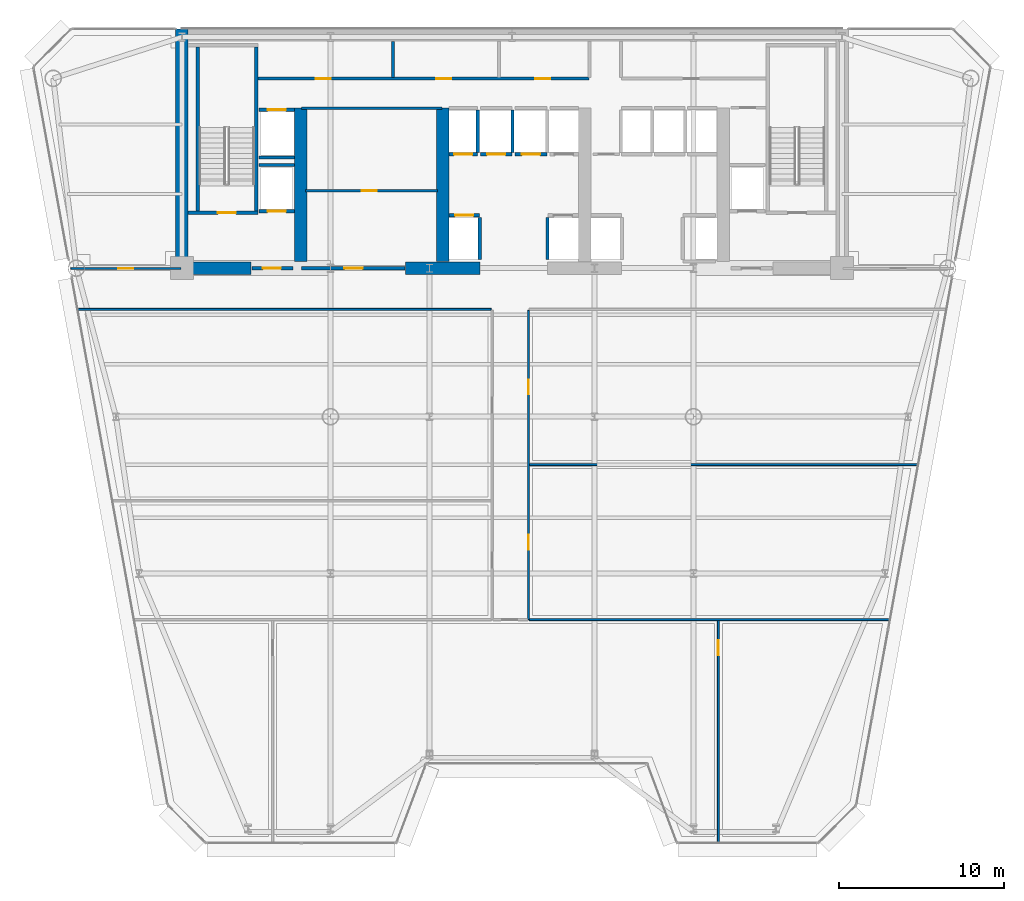
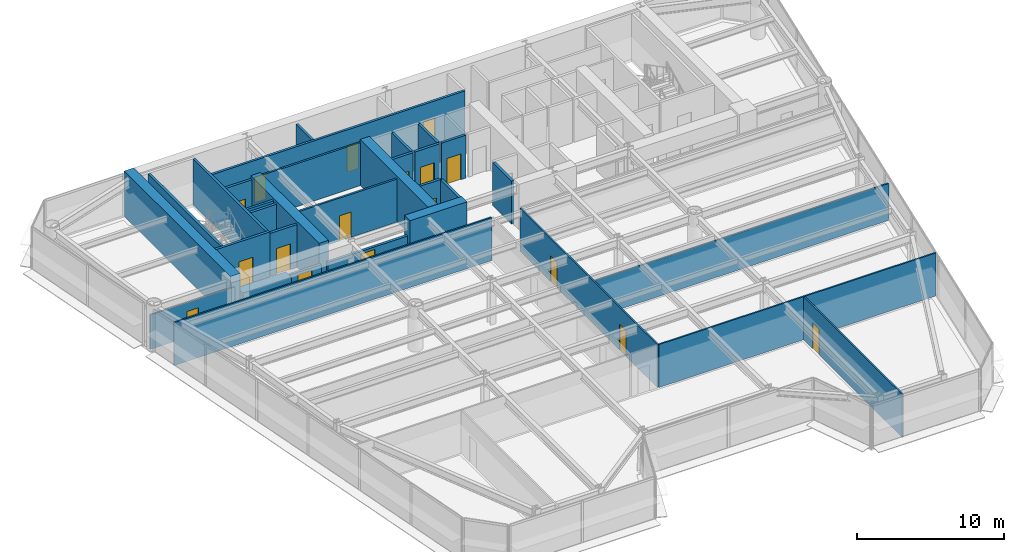
# One storey, part 8 of 14: 32 walls, 17 doors, 17 openings.
"""IFC4 building model written with IfcOpenShell, lengths in metres."""

from ifc_helpers import new_model, si_unit, direction, frame, frame_2d, origin, place, context, subcontext, project, spatial, rectangle, extrude, source, transform, mapped, material, layer, layer_set, type_object, element, fill, save


model = new_model("IFC4")

# Units and contexts
model_context = context("Model", 3, precision=1e-05, world=origin(), true_north=direction((0.0, 1.0)))
body_context = subcontext(model_context, "Body", "Model", "MODEL_VIEW")
ifc_project = project(units=[si_unit("LENGTHUNIT", "METRE"), si_unit("AREAUNIT", "SQUARE_METRE"), si_unit("VOLUMEUNIT", "CUBIC_METRE"), si_unit("PLANEANGLEUNIT", "RADIAN"), si_unit("MASSUNIT", "GRAM", prefix="KILO")], contexts=[model_context])

# Site, building, storey
site_placement = place(None, origin())
site = spatial("IfcSite", under=ifc_project, at=site_placement, CompositionType="ELEMENT")
building_placement = place(site_placement, origin())
building = spatial("IfcBuilding", under=site, at=building_placement, Name="Vaeldorn Concourse Tower", CompositionType="ELEMENT")
storey_placement = place(building_placement, frame((0.0, 0.0, 118.60009765625)))
storey = spatial("IfcBuildingStorey", under=building, at=storey_placement, Name="L30", CompositionType="ELEMENT", Elevation=118.60009765625)

# Walls
ifc_material_1 = material(Name="Concrete C60/75", Category="concrete")
ifc_layer_1 = layer(ifc_material_1, 0.75)
ifc_layer_set_1 = layer_set([ifc_layer_1], Name="Concrete C60/75")
wall_type_1 = type_object("IfcWallType", Name="WL-CORE-750", PredefinedType="SHEAR", material=ifc_layer_set_1)
wall_1_placement = place(storey_placement, frame((14.0, 36.5, 0.0), z_axis=(0.0, 0.0, 1.0), x_axis=(0.0, 1.0, 0.0)))
element("IfcWall", 1, at=wall_1_placement, inside=storey, type_object=wall_type_1, Name="Rear Core Shear Wall L30 W1", PredefinedType="SHEAR", context=body_context, shape_type="SweptSolid", body=[
    extrude(rectangle(XDim=14.5, YDim=0.75, at=frame_2d((7.25, 0.0))), origin(), (0.0, 0.0, 1.0), 3.7998046875),
])
wall_2_placement = place(storey_placement, frame((14.39501953125, 36.5, 0.0), z_axis=(0.0, 0.0, 1.0), x_axis=(1.0, 0.0, 0.0)))
element("IfcWall", 2, at=wall_2_placement, inside=storey, type_object=wall_type_1, Name="Rear Core Shear Wall L30 S1", PredefinedType="SHEAR", context=body_context, shape_type="SweptSolid", body=[
    extrude(rectangle(XDim=3.804931640625, YDim=0.75, at=frame_2d((1.90234375, 0.0))), origin(), (0.0, 0.0, 1.0), 2.3798828125),
])
wall_3_placement = place(storey_placement, frame((27.550048828125, 36.5, 0.0), z_axis=(0.0, 0.0, 1.0), x_axis=(1.0, 0.0, 0.0)))
element("IfcWall", 3, at=wall_3_placement, inside=storey, type_object=wall_type_1, Name="Rear Core Shear Wall L30 S2", PredefinedType="SHEAR", context=body_context, shape_type="SweptSolid", body=[
    extrude(rectangle(XDim=4.5, YDim=0.75, at=frame_2d((2.25, 0.0))), origin(), (0.0, 0.0, 1.0), 3.7998046875),
])
for number, where, z_axis, x_axis, name in (
    (4, (21.199951171875, 36.89501953125, 0.0), (0.0, 0.0, 1.0), (0.0, 1.0, 0.0), "Rear Core Shear Wall L30 M1"),
    (5, (29.800048828125, 36.89501953125, 0.0), (0.0, 0.0, 1.0), (0.0, 1.0, 0.0), "Rear Core Shear Wall L30 M2"),
):
    element("IfcWall", number, at=place(storey_placement, frame(where, z_axis=z_axis, x_axis=x_axis)), inside=storey, type_object=wall_type_1, Name=name, PredefinedType="SHEAR", context=body_context, shape_type="SweptSolid", body=[
        extrude(rectangle(XDim=9.304931640625, YDim=0.75, at=frame_2d((4.65234375, 0.0))), origin(), (0.0, 0.0, 1.0), 3.7998046875),
    ])
ifc_material_2 = material(Name="Gypsum Board Partition", Category="gypsum")
ifc_layer_2 = layer(ifc_material_2, 0.1201171875)
ifc_layer_set_2 = layer_set([ifc_layer_2], Name="Gypsum Board Partition")
wall_type_2 = type_object("IfcWallType", Name="WL-PART-120", PredefinedType="PARTITIONING", material=ifc_layer_set_2)
wall_4_placement = place(storey_placement, frame((7.715087890625, 34.0, 0.0), z_axis=(0.0, 0.0, 1.0), x_axis=(1.0, 0.0, 0.0)))
element("IfcWall", 6, at=wall_4_placement, inside=storey, type_object=wall_type_2, Name="Interior Wall PW-L30-C2SW", PredefinedType="PARTITIONING", context=body_context, shape_type="SweptSolid", body=[
    extrude(rectangle(XDim=25.02490234375, YDim=0.1201171875, at=frame_2d((12.512451171875, 0.0))), origin(), (0.0, 0.0, 1.0), 3.579833984375),
])

# Wall, openings, doors
wall_5_placement = place(storey_placement, frame((35.0, 15.199951171875, 0.0), z_axis=(0.0, 0.0, 1.0), x_axis=(0.0, 1.0, 0.0)))
wall_5 = element("IfcWall", 7, at=wall_5_placement, inside=storey, type_object=wall_type_2, Name="Interior Wall PW-L30-SP2E", PredefinedType="PARTITIONING", context=body_context, shape_type="SweptSolid", body=[
    extrude(rectangle(XDim=18.739990234375, YDim=0.1201171875, at=frame_2d((9.3701171875, 0.0))), origin(), (0.0, 0.0, 1.0), 3.579833984375),
])
opening_1_placement = place(wall_5_placement, frame((4.25, 0.0, 0.0)))
opening_1 = element("IfcOpeningElement", 8, at=opening_1_placement, cuts=wall_5, Name="Opening D-03", PredefinedType="OPENING", context=body_context, shape_type="SweptSolid", body=[
    extrude(rectangle(XDim=0.89990234375, YDim=2.14990234375, at=frame_2d((0.449951171875, 1.074951171875))), frame((0.0, 0.070068359375, 0.0), z_axis=(0.0, -1.0, 0.0), x_axis=(1.0, 0.0, 0.0)), (0.0, 0.0, 1.0), 0.14013671875),
])
opening_2_placement = place(wall_5_placement, frame((13.64990234375, 0.0, 0.0)))
opening_2 = element("IfcOpeningElement", 9, at=opening_2_placement, cuts=wall_5, Name="Opening D-03", PredefinedType="OPENING", context=body_context, shape_type="SweptSolid", body=[
    extrude(rectangle(XDim=0.89990234375, YDim=2.14990234375, at=frame_2d((0.449951171875, 1.074951171875))), frame((0.0, 0.070068359375, 0.0), z_axis=(0.0, -1.0, 0.0), x_axis=(1.0, 0.0, 0.0)), (0.0, 0.0, 1.0), 0.14013671875),
])
ifc_material_3 = material(Name="Acoustic Bronze-Framed Glass Door", Category="glass")
door_type_1 = type_object("IfcDoorType", Name="DR-INT-900", OperationType="NOTDEFINED", PredefinedType="DOOR", material=ifc_material_3)
shared_shape_1 = source(origin(), body_context, "Body", "SweptSolid", [
    extrude(rectangle(XDim=0.89990234375, YDim=2.14990234375, at=frame_2d((0.449951171875, 1.074951171875))), frame((0.0, 0.02490234375, 0.0), z_axis=(0.0, -1.0, 0.0), x_axis=(1.0, 0.0, 0.0)), (0.0, 0.0, 1.0), 0.050048828125),
])
door_1_placement = place(opening_1_placement, origin())
door_1 = element("IfcDoor", 10, at=door_1_placement, inside=storey, type_object=door_type_1, Name="Interior Door DR-L30-Z2E1", OperationType="SINGLE_SWING_RIGHT", OverallHeight=2.14990234375, OverallWidth=0.89990234375, PredefinedType="DOOR", context=body_context, shape_type="MappedRepresentation", body=[
    mapped(shared_shape_1, transform((0.0, 0.0, 0.0), scale=1.0)),
])
fill(opening_1, door_1)
door_2_placement = place(opening_2_placement, origin())
door_2 = element("IfcDoor", 11, at=door_2_placement, inside=storey, type_object=door_type_1, Name="Interior Door DR-L30-Z2E2", OperationType="SINGLE_SWING_LEFT", OverallHeight=2.14990234375, OverallWidth=0.89990234375, PredefinedType="DOOR", context=body_context, shape_type="MappedRepresentation", body=[
    mapped(shared_shape_1, transform((0.0, 0.0, 0.0), scale=1.0)),
])
fill(opening_2, door_2)

# Wall, opening, door
wall_6_placement = place(storey_placement, frame((7.26904296875, 36.47998046875, 0.0), z_axis=(0.0, 0.0, 1.0), x_axis=(1.0, 0.0, 0.0)))
wall_6 = element("IfcWall", 12, at=wall_6_placement, inside=storey, type_object=wall_type_2, Name="Interior Wall PW-L30-NWS", PredefinedType="PARTITIONING", context=body_context, shape_type="SweptSolid", body=[
    extrude(rectangle(XDim=6.6708984375, YDim=0.1201171875, at=frame_2d((3.33544921875, 0.0))), origin(), (0.0, 0.0, 1.0), 2.869873046875),
])
opening_3_placement = place(wall_6_placement, frame((2.885009765625, 0.0, 0.0)))
opening_3 = element("IfcOpeningElement", 13, at=opening_3_placement, cuts=wall_6, Name="Opening D-03", PredefinedType="OPENING", context=body_context, shape_type="SweptSolid", body=[
    extrude(rectangle(XDim=0.89990234375, YDim=2.14990234375, at=frame_2d((0.449951171875, 1.074951171875))), frame((0.0, 0.070068359375, 0.0), z_axis=(0.0, -1.0, 0.0), x_axis=(1.0, 0.0, 0.0)), (0.0, 0.0, 1.0), 0.14013671875),
])
door_3_placement = place(opening_3_placement, origin())
door_3 = element("IfcDoor", 14, at=door_3_placement, inside=storey, type_object=door_type_1, Name="Interior Door DR-L30-NWC", OperationType="SINGLE_SWING_LEFT", OverallHeight=2.14990234375, OverallWidth=0.89990234375, PredefinedType="DOOR", context=body_context, shape_type="MappedRepresentation", body=[
    mapped(shared_shape_1, transform((0.0, 0.0, 0.0), scale=1.0)),
])
fill(opening_3, door_3)

# Wall
wall_7_placement = place(storey_placement, frame((35.06005859375, 15.199951171875, 0.0), z_axis=(0.0, 0.0, 1.0), x_axis=(1.0, 0.0, 0.0)))
element("IfcWall", 15, at=wall_7_placement, inside=storey, type_object=wall_type_2, Name="Interior Wall PW-L30-S2EL", PredefinedType="PARTITIONING", context=body_context, shape_type="SweptSolid", body=[
    extrude(rectangle(XDim=21.803955078125, YDim=0.1201171875, at=frame_2d((10.90185546875, 0.0))), origin(), (0.0, 0.0, 1.0), 3.579833984375),
])

# Wall, opening, door
wall_8_placement = place(storey_placement, frame((46.5, 1.71337890625, 0.0), z_axis=(0.0, 0.0, 1.0), x_axis=(0.0, 1.0, 0.0)))
wall_8 = element("IfcWall", 16, at=wall_8_placement, inside=storey, type_object=wall_type_2, Name="Interior Wall PW-L30-Z2SFX2", PredefinedType="PARTITIONING", context=body_context, shape_type="SweptSolid", body=[
    extrude(rectangle(XDim=13.426513671875, YDim=0.1201171875, at=frame_2d((6.71337890625, 0.0))), origin(), (0.0, 0.0, 1.0), 3.579833984375),
])
opening_4_placement = place(wall_8_placement, frame((11.325927734375, 0.0, 0.0)))
opening_4 = element("IfcOpeningElement", 17, at=opening_4_placement, cuts=wall_8, Name="Opening D-03", PredefinedType="OPENING", context=body_context, shape_type="SweptSolid", body=[
    extrude(rectangle(XDim=0.89990234375, YDim=2.14990234375, at=frame_2d((0.449951171875, 1.074951171875))), frame((0.0, 0.070068359375, 0.0), z_axis=(0.0, -1.0, 0.0), x_axis=(1.0, 0.0, 0.0)), (0.0, 0.0, 1.0), 0.14013671875),
])
door_4_placement = place(opening_4_placement, origin())
door_4 = element("IfcDoor", 18, at=door_4_placement, inside=storey, type_object=door_type_1, Name="Interior Door DR-L30-Z2SFX2", OperationType="SINGLE_SWING_LEFT", OverallHeight=2.14990234375, OverallWidth=0.89990234375, PredefinedType="DOOR", context=body_context, shape_type="MappedRepresentation", body=[
    mapped(shared_shape_1, transform((0.0, 0.0, 0.0), scale=1.0)),
])
fill(opening_4, door_4)

# Walls
wall_9_placement = place(storey_placement, frame((35.06005859375, 24.60009765625, 0.0), z_axis=(0.0, 0.0, 1.0), x_axis=(1.0, 0.0, 0.0)))
element("IfcWall", 19, at=wall_9_placement, inside=storey, type_object=wall_type_2, Name="Interior Wall PW-L30-Z2EY1", PredefinedType="PARTITIONING", context=body_context, shape_type="SweptSolid", body=[
    extrude(rectangle(XDim=23.514404296875, YDim=0.1201171875, at=frame_2d((11.75732421875, 0.0))), origin(), (0.0, 0.0, 1.0), 3.06982421875),
])
ifc_layer_3 = layer(ifc_material_2, 0.14990234375)
ifc_layer_set_3 = layer_set([ifc_layer_3], Name="Gypsum Board Partition")
wall_type_3 = type_object("IfcWallType", Name="WL-PART-150", PredefinedType="PARTITIONING", material=ifc_layer_set_3)
wall_10_placement = place(storey_placement, frame((21.25, 46.199951171875, 0.0), z_axis=(0.0, 0.0, 1.0), x_axis=(1.0, 0.0, 0.0)))
element("IfcWall", 20, at=wall_10_placement, inside=storey, type_object=wall_type_3, Name="Interior Wall CW-L30-R1N", PredefinedType="PARTITIONING", context=body_context, shape_type="SweptSolid", body=[
    extrude(rectangle(XDim=8.5, YDim=0.14990234375, at=frame_2d((4.25, 0.0))), origin(), (0.0, 0.0, 1.0), 3.579833984375),
])

# Wall, opening, door
wall_11_placement = place(storey_placement, frame((21.5, 41.199951171875, 0.0), z_axis=(0.0, 0.0, 1.0), x_axis=(1.0, 0.0, 0.0)))
wall_11 = element("IfcWall", 21, at=wall_11_placement, inside=storey, type_object=wall_type_3, Name="Interior Wall CW-L30-R1M", PredefinedType="PARTITIONING", context=body_context, shape_type="SweptSolid", body=[
    extrude(rectangle(XDim=8.0, YDim=0.14990234375, at=frame_2d((4.0, 0.0))), origin(), (0.0, 0.0, 1.0), 3.579833984375),
])
opening_5_placement = place(wall_11_placement, frame((3.39990234375, 0.0, 0.0)))
opening_5 = element("IfcOpeningElement", 22, at=opening_5_placement, cuts=wall_11, Name="Opening D-02", PredefinedType="OPENING", context=body_context, shape_type="SweptSolid", body=[
    extrude(rectangle(XDim=0.89990234375, YDim=2.10009765625, at=frame_2d((0.449951171875, 1.050048828125))), frame((0.0, 0.0849609375, 0.0), z_axis=(0.0, -1.0, 0.0), x_axis=(1.0, 0.0, 0.0)), (0.0, 0.0, 1.0), 0.169921875),
])
ifc_material_4 = material(Name="Fire-Rated Timber Leaf", Category="wood")
door_type_2 = type_object("IfcDoorType", Name="DR-FD30-900", OperationType="NOTDEFINED", PredefinedType="DOOR", material=ifc_material_4)
shared_shape_2 = source(origin(), body_context, "Body", "SweptSolid", [
    extrude(rectangle(XDim=0.89990234375, YDim=2.10009765625, at=frame_2d((0.449951171875, 1.050048828125))), frame((0.0, 0.02490234375, 0.0), z_axis=(0.0, -1.0, 0.0), x_axis=(1.0, 0.0, 0.0)), (0.0, 0.0, 1.0), 0.050048828125),
])
door_5_placement = place(opening_5_placement, origin())
door_5 = element("IfcDoor", 23, at=door_5_placement, inside=storey, type_object=door_type_2, Name="Interior Door DR-L30-R1M", OperationType="SINGLE_SWING_RIGHT", OverallHeight=2.10009765625, OverallWidth=0.89990234375, PredefinedType="DOOR", context=body_context, shape_type="MappedRepresentation", body=[
    mapped(shared_shape_2, transform((0.0, 0.0, 0.0), scale=1.0)),
])
fill(opening_5, door_5)

# Wall, openings, doors
ifc_layer_4 = layer(ifc_material_2, 0.179931640625)
ifc_layer_set_4 = layer_set([ifc_layer_4], Name="Gypsum Board Partition")
wall_type_4 = type_object("IfcWallType", Name="WL-PLUMB-180", PredefinedType="PLUMBINGWALL", material=ifc_layer_set_4)
wall_12_placement = place(storey_placement, frame((18.6201171875, 47.97998046875, 0.0), z_axis=(0.0, 0.0, 1.0), x_axis=(1.0, 0.0, 0.0)))
wall_12 = element("IfcWall", 24, at=wall_12_placement, inside=storey, type_object=wall_type_4, Name="Interior Wall CW-L30-NS1W", PredefinedType="PLUMBINGWALL", context=body_context, shape_type="SweptSolid", body=[
    extrude(rectangle(XDim=20.059814453125, YDim=0.179931640625, at=frame_2d((10.02978515625, 0.0))), origin(), (0.0, 0.0, 1.0), 3.579833984375),
])
opening_6_placement = place(wall_12_placement, frame((3.5, 0.0, 0.0)))
opening_6 = element("IfcOpeningElement", 25, at=opening_6_placement, cuts=wall_12, Name="Opening D-03", PredefinedType="OPENING", context=body_context, shape_type="SweptSolid", body=[
    extrude(rectangle(XDim=0.89990234375, YDim=2.14990234375, at=frame_2d((0.449951171875, 1.074951171875))), frame((0.0, 0.10009765625, 0.0), z_axis=(0.0, -1.0, 0.0), x_axis=(1.0, 0.0, 0.0)), (0.0, 0.0, 1.0), 0.199951171875),
])
opening_7_placement = place(wall_12_placement, frame((10.800048828125, 0.0, 0.0)))
opening_7 = element("IfcOpeningElement", 26, at=opening_7_placement, cuts=wall_12, Name="Opening D-03", PredefinedType="OPENING", context=body_context, shape_type="SweptSolid", body=[
    extrude(rectangle(XDim=0.89990234375, YDim=2.14990234375, at=frame_2d((0.449951171875, 1.074951171875))), frame((0.0, 0.10009765625, 0.0), z_axis=(0.0, -1.0, 0.0), x_axis=(1.0, 0.0, 0.0)), (0.0, 0.0, 1.0), 0.199951171875),
])
opening_8_placement = place(wall_12_placement, frame((16.800048828125, 0.0, 0.0)))
opening_8 = element("IfcOpeningElement", 27, at=opening_8_placement, cuts=wall_12, Name="Opening D-03", PredefinedType="OPENING", context=body_context, shape_type="SweptSolid", body=[
    extrude(rectangle(XDim=0.89990234375, YDim=2.14990234375, at=frame_2d((0.449951171875, 1.074951171875))), frame((0.0, 0.10009765625, 0.0), z_axis=(0.0, -1.0, 0.0), x_axis=(1.0, 0.0, 0.0)), (0.0, 0.0, 1.0), 0.199951171875),
])
door_6_placement = place(opening_6_placement, origin())
door_6 = element("IfcDoor", 28, at=door_6_placement, inside=storey, type_object=door_type_1, Name="Interior Door DR-L30-CS1", OperationType="SINGLE_SWING_LEFT", OverallHeight=2.14990234375, OverallWidth=0.89990234375, PredefinedType="DOOR", context=body_context, shape_type="MappedRepresentation", body=[
    mapped(shared_shape_1, transform((0.0, 0.0, 0.0), scale=1.0)),
])
fill(opening_6, door_6)
door_7_placement = place(opening_7_placement, origin())
door_7 = element("IfcDoor", 29, at=door_7_placement, inside=storey, type_object=door_type_1, Name="Interior Door DR-L30-CS2", OperationType="SINGLE_SWING_RIGHT", OverallHeight=2.14990234375, OverallWidth=0.89990234375, PredefinedType="DOOR", context=body_context, shape_type="MappedRepresentation", body=[
    mapped(shared_shape_1, transform((0.0, 0.0, 0.0), scale=1.0)),
])
fill(opening_7, door_7)
door_8_placement = place(opening_8_placement, origin())
door_8 = element("IfcDoor", 30, at=door_8_placement, inside=storey, type_object=door_type_1, Name="Interior Door DR-L30-CS3", OperationType="SINGLE_SWING_LEFT", OverallHeight=2.14990234375, OverallWidth=0.89990234375, PredefinedType="DOOR", context=body_context, shape_type="MappedRepresentation", body=[
    mapped(shared_shape_1, transform((0.0, 0.0, 0.0), scale=1.0)),
])
fill(opening_8, door_8)

# Wall
wall_13_placement = place(storey_placement, frame((26.800048828125, 48.06005859375, 0.0), z_axis=(0.0, 0.0, 1.0), x_axis=(0.0, 1.0, 0.0)))
element("IfcWall", 31, at=wall_13_placement, inside=storey, type_object=wall_type_4, Name="Interior Wall CW-L30-NDIV1", PredefinedType="PLUMBINGWALL", context=body_context, shape_type="SweptSolid", body=[
    extrude(rectangle(XDim=2.169921875, YDim=0.179931640625, at=frame_2d((1.0849609375, 0.0))), origin(), (0.0, 0.0, 1.0), 3.579833984375),
])

# Wall, opening, door
ifc_material_5 = material(Name="Concrete C50/60", Category="concrete")
ifc_layer_5 = layer(ifc_material_5, 0.199951171875)
ifc_layer_set_5 = layer_set([ifc_layer_5], Name="Concrete C50/60")
wall_type_5 = type_object("IfcWallType", Name="WL-SHAFT-200", PredefinedType="SOLIDWALL", material=ifc_layer_set_5)
wall_14_placement = place(storey_placement, frame((14.375, 39.85009765625, 0.0), z_axis=(0.0, 0.0, 1.0), x_axis=(1.0, 0.0, 0.0)))
wall_14 = element("IfcWall", 32, at=wall_14_placement, inside=storey, type_object=wall_type_5, Name="Stair Shaft Wall CW-L30-ST-1-S", PredefinedType="SOLIDWALL", context=body_context, shape_type="SweptSolid", body=[
    extrude(rectangle(XDim=4.22509765625, YDim=0.199951171875, at=frame_2d((2.112548828125, 0.0))), origin(), (0.0, 0.0, 1.0), 3.7998046875),
])
opening_9_placement = place(wall_14_placement, frame((1.800048828125, 0.0, 0.0)))
opening_9 = element("IfcOpeningElement", 33, at=opening_9_placement, cuts=wall_14, Name="Opening D-01", PredefinedType="OPENING", context=body_context, shape_type="SweptSolid", body=[
    extrude(rectangle(XDim=1.10009765625, YDim=2.14990234375, at=frame_2d((0.550048828125, 1.074951171875))), frame((0.0, 0.10986328125, 0.0), z_axis=(0.0, -1.0, 0.0), x_axis=(1.0, 0.0, 0.0)), (0.0, 0.0, 1.0), 0.219970703125),
])
ifc_material_6 = material(Name="Fire-Rated Timber and Steel Leaf", Category="steel")
door_type_3 = type_object("IfcDoorType", Name="DR-FD60-1100", OperationType="NOTDEFINED", PredefinedType="DOOR", material=ifc_material_6)
shared_shape_3 = source(origin(), body_context, "Body", "SweptSolid", [
    extrude(rectangle(XDim=1.10009765625, YDim=2.14990234375, at=frame_2d((0.550048828125, 1.074951171875))), frame((0.0, 0.02490234375, 0.0), z_axis=(0.0, -1.0, 0.0), x_axis=(1.0, 0.0, 0.0)), (0.0, 0.0, 1.0), 0.050048828125),
])
door_9_placement = place(opening_9_placement, origin())
door_9 = element("IfcDoor", 34, at=door_9_placement, inside=storey, type_object=door_type_3, Name="Interior Door DR-L30-ST-1", OperationType="SINGLE_SWING_LEFT", OverallHeight=2.14990234375, OverallWidth=1.10009765625, PredefinedType="DOOR", context=body_context, shape_type="MappedRepresentation", body=[
    mapped(shared_shape_3, transform((0.0, 0.0, 0.0), scale=1.0)),
])
fill(opening_9, door_9)

# Walls
for number, where, z_axis, x_axis, name in (
    (35, (14.949951171875, 39.9599609375, 0.0), (0.0, 0.0, 1.0), (0.0, 1.0, 0.0), "Stair Shaft Wall CW-L30-ST-1-W"),
    (36, (18.5, 39.9599609375, 0.0), (0.0, 0.0, 1.0), (0.0, 1.0, 0.0), "Stair Shaft Wall CW-L30-ST-1-E"),
):
    element("IfcWall", number, at=place(storey_placement, frame(where, z_axis=z_axis, x_axis=x_axis)), inside=storey, type_object=wall_type_5, Name=name, PredefinedType="SOLIDWALL", context=body_context, shape_type="SweptSolid", body=[
        extrude(rectangle(XDim=9.929931640625, YDim=0.199951171875, at=frame_2d((4.96484375, 0.0))), origin(), (0.0, 0.0, 1.0), 3.7998046875),
    ])

# Wall, opening, door
wall_15_placement = place(storey_placement, frame((18.25, 36.5, 0.0), z_axis=(0.0, 0.0, 1.0), x_axis=(1.0, 0.0, 0.0)))
wall_15 = element("IfcWall", 37, at=wall_15_placement, inside=storey, type_object=wall_type_5, Name="Interior Wall CW-L30-FF1S", PredefinedType="SOLIDWALL", context=body_context, shape_type="SweptSolid", body=[
    extrude(rectangle(XDim=2.469970703125, YDim=0.199951171875, at=frame_2d((1.23486328125, 0.0))), origin(), (0.0, 0.0, 1.0), 2.369873046875),
])
opening_10_placement = place(wall_15_placement, frame((0.64990234375, 0.0, 0.0)))
opening_10 = element("IfcOpeningElement", 38, at=opening_10_placement, cuts=wall_15, Name="Opening D-01", PredefinedType="OPENING", context=body_context, shape_type="SweptSolid", body=[
    extrude(rectangle(XDim=1.10009765625, YDim=2.14990234375, at=frame_2d((0.550048828125, 1.074951171875))), frame((0.0, 0.10986328125, 0.0), z_axis=(0.0, -1.0, 0.0), x_axis=(1.0, 0.0, 0.0)), (0.0, 0.0, 1.0), 0.219970703125),
])
door_10_placement = place(opening_10_placement, origin())
door_10 = element("IfcDoor", 39, at=door_10_placement, inside=storey, type_object=door_type_3, Name="Interior Door DR-L30-FF1E", OperationType="SINGLE_SWING_RIGHT", OverallHeight=2.14990234375, OverallWidth=1.10009765625, PredefinedType="DOOR", context=body_context, shape_type="MappedRepresentation", body=[
    mapped(shared_shape_3, transform((0.0, 0.0, 0.0), scale=1.0)),
])
fill(opening_10, door_10)

wall_16_placement = place(storey_placement, frame((30.18505859375, 39.699951171875, 0.0), z_axis=(0.0, 0.0, 1.0), x_axis=(1.0, 0.0, 0.0)))
wall_16 = element("IfcWall", 40, at=wall_16_placement, inside=storey, type_object=wall_type_5, Name="Interior Wall CW-L30-LF-LF-07", PredefinedType="SOLIDWALL", context=body_context, shape_type="SweptSolid", body=[
    extrude(rectangle(XDim=1.844970703125, YDim=0.199951171875, at=frame_2d((0.92236328125, 0.0))), origin(), (0.0, 0.0, 1.0), 3.579833984375),
])
opening_11_placement = place(wall_16_placement, frame((0.373046875, 0.0, 0.0)))
opening_11 = element("IfcOpeningElement", 41, at=opening_11_placement, cuts=wall_16, Name="Opening LD-1", PredefinedType="OPENING", context=body_context, shape_type="SweptSolid", body=[
    extrude(rectangle(XDim=1.10009765625, YDim=2.14990234375, at=frame_2d((0.550048828125, 1.074951171875))), frame((0.0, 0.10986328125, 0.0), z_axis=(0.0, -1.0, 0.0), x_axis=(1.0, 0.0, 0.0)), (0.0, 0.0, 1.0), 0.219970703125),
])
ifc_material_7 = material(Name="Anodised Bronze Aluminium", Category="aluminium")
door_type_4 = type_object("IfcDoorType", Name="DR-LIFT-SLIDE-1100", OperationType="DOUBLE_DOOR_SLIDING", PredefinedType="DOOR", material=ifc_material_7)
door_11_placement = place(opening_11_placement, origin())
door_11 = element("IfcDoor", 42, at=door_11_placement, inside=storey, type_object=door_type_4, Name="Lift Landing Door LD-L30-LF-07", OperationType="DOUBLE_DOOR_SLIDING", OverallHeight=2.14990234375, OverallWidth=1.10009765625, PredefinedType="DOOR", context=body_context, shape_type="MappedRepresentation", body=[
    mapped(shared_shape_3, transform((0.0, 0.0, 0.0), scale=1.0)),
])
fill(opening_11, door_11)

# Walls
for number, where, z_axis, x_axis, name in (
    (43, (32.050048828125, 37.02001953125, 0.0), (0.0, 0.0, 1.0), (0.0, 1.0, 0.0), "Interior Wall CW-L30-LFE-LF-07"),
    (44, (36.14990234375, 37.02001953125, 0.0), (0.0, 0.0, 1.0), (0.0, 1.0, 0.0), "Interior Wall CW-L30-LFW-LF-08"),
):
    element("IfcWall", number, at=place(storey_placement, frame(where, z_axis=z_axis, x_axis=x_axis)), inside=storey, type_object=wall_type_5, Name=name, PredefinedType="SOLIDWALL", context=body_context, shape_type="SweptSolid", body=[
        extrude(rectangle(XDim=2.56005859375, YDim=0.199951171875, at=frame_2d((1.280029296875, 0.0))), origin(), (0.0, 0.0, 1.0), 3.579833984375),
    ])

# Wall, opening, door
wall_17_placement = place(storey_placement, frame((30.18505859375, 43.39990234375, 0.0), z_axis=(0.0, 0.0, 1.0), x_axis=(1.0, 0.0, 0.0)))
wall_17 = element("IfcWall", 45, at=wall_17_placement, inside=storey, type_object=wall_type_5, Name="Interior Wall CW-L30-LF-LF-09", PredefinedType="SOLIDWALL", context=body_context, shape_type="SweptSolid", body=[
    extrude(rectangle(XDim=1.724853515625, YDim=0.199951171875, at=frame_2d((0.8623046875, 0.0))), origin(), (0.0, 0.0, 1.0), 3.579833984375),
])
opening_12_placement = place(wall_17_placement, frame((0.31298828125, 0.0, 0.0)))
opening_12 = element("IfcOpeningElement", 46, at=opening_12_placement, cuts=wall_17, Name="Opening LD-1", PredefinedType="OPENING", context=body_context, shape_type="SweptSolid", body=[
    extrude(rectangle(XDim=1.10009765625, YDim=2.14990234375, at=frame_2d((0.550048828125, 1.074951171875))), frame((0.0, 0.10986328125, 0.0), z_axis=(0.0, -1.0, 0.0), x_axis=(1.0, 0.0, 0.0)), (0.0, 0.0, 1.0), 0.219970703125),
])
door_12_placement = place(opening_12_placement, origin())
door_12 = element("IfcDoor", 47, at=door_12_placement, inside=storey, type_object=door_type_4, Name="Lift Landing Door LD-L30-LF-09", OperationType="DOUBLE_DOOR_SLIDING", OverallHeight=2.14990234375, OverallWidth=1.10009765625, PredefinedType="DOOR", context=body_context, shape_type="MappedRepresentation", body=[
    mapped(shared_shape_3, transform((0.0, 0.0, 0.0), scale=1.0)),
])
fill(opening_12, door_12)

# Wall
wall_18_placement = place(storey_placement, frame((31.929931640625, 43.52001953125, 0.0), z_axis=(0.0, 0.0, 1.0), x_axis=(0.0, 1.0, 0.0)))
element("IfcWall", 48, at=wall_18_placement, inside=storey, type_object=wall_type_5, Name="Interior Wall CW-L30-LFE-LF-09", PredefinedType="SOLIDWALL", context=body_context, shape_type="SweptSolid", body=[
    extrude(rectangle(XDim=2.56005859375, YDim=0.199951171875, at=frame_2d((1.280029296875, 0.0))), origin(), (0.0, 0.0, 1.0), 3.579833984375),
])

# Wall, opening, door
wall_19_placement = place(storey_placement, frame((32.090087890625, 43.39990234375, 0.0), z_axis=(0.0, 0.0, 1.0), x_axis=(1.0, 0.0, 0.0)))
wall_19 = element("IfcWall", 49, at=wall_19_placement, inside=storey, type_object=wall_type_5, Name="Interior Wall CW-L30-LF-LF-10", PredefinedType="SOLIDWALL", context=body_context, shape_type="SweptSolid", body=[
    extrude(rectangle(XDim=1.919921875, YDim=0.199951171875, at=frame_2d((0.9599609375, 0.0))), origin(), (0.0, 0.0, 1.0), 3.579833984375),
])
opening_13_placement = place(wall_19_placement, frame((0.409912109375, 0.0, 0.0)))
opening_13 = element("IfcOpeningElement", 50, at=opening_13_placement, cuts=wall_19, Name="Opening LD-1", PredefinedType="OPENING", context=body_context, shape_type="SweptSolid", body=[
    extrude(rectangle(XDim=1.10009765625, YDim=2.14990234375, at=frame_2d((0.550048828125, 1.074951171875))), frame((0.0, 0.10986328125, 0.0), z_axis=(0.0, -1.0, 0.0), x_axis=(1.0, 0.0, 0.0)), (0.0, 0.0, 1.0), 0.219970703125),
])
door_13_placement = place(opening_13_placement, origin())
door_13 = element("IfcDoor", 51, at=door_13_placement, inside=storey, type_object=door_type_4, Name="Lift Landing Door LD-L30-LF-10", OperationType="DOUBLE_DOOR_SLIDING", OverallHeight=2.14990234375, OverallWidth=1.10009765625, PredefinedType="DOOR", context=body_context, shape_type="MappedRepresentation", body=[
    mapped(shared_shape_3, transform((0.0, 0.0, 0.0), scale=1.0)),
])
fill(opening_13, door_13)

# Wall
wall_20_placement = place(storey_placement, frame((34.030029296875, 43.52001953125, 0.0), z_axis=(0.0, 0.0, 1.0), x_axis=(0.0, 1.0, 0.0)))
element("IfcWall", 52, at=wall_20_placement, inside=storey, type_object=wall_type_5, Name="Interior Wall CW-L30-LFE-LF-10", PredefinedType="SOLIDWALL", context=body_context, shape_type="SweptSolid", body=[
    extrude(rectangle(XDim=2.56005859375, YDim=0.199951171875, at=frame_2d((1.280029296875, 0.0))), origin(), (0.0, 0.0, 1.0), 3.579833984375),
])

# Wall, opening, door
wall_21_placement = place(storey_placement, frame((34.18994140625, 43.39990234375, 0.0), z_axis=(0.0, 0.0, 1.0), x_axis=(1.0, 0.0, 0.0)))
wall_21 = element("IfcWall", 53, at=wall_21_placement, inside=storey, type_object=wall_type_5, Name="Interior Wall CW-L30-LF-LF-11", PredefinedType="SOLIDWALL", context=body_context, shape_type="SweptSolid", body=[
    extrude(rectangle(XDim=1.920166015625, YDim=0.199951171875, at=frame_2d((0.9599609375, 0.0))), origin(), (0.0, 0.0, 1.0), 3.579833984375),
])
opening_14_placement = place(wall_21_placement, frame((0.409912109375, 0.0, 0.0)))
opening_14 = element("IfcOpeningElement", 54, at=opening_14_placement, cuts=wall_21, Name="Opening LD-1", PredefinedType="OPENING", context=body_context, shape_type="SweptSolid", body=[
    extrude(rectangle(XDim=1.10009765625, YDim=2.14990234375, at=frame_2d((0.550048828125, 1.074951171875))), frame((0.0, 0.10986328125, 0.0), z_axis=(0.0, -1.0, 0.0), x_axis=(1.0, 0.0, 0.0)), (0.0, 0.0, 1.0), 0.219970703125),
])
door_14_placement = place(opening_14_placement, origin())
door_14 = element("IfcDoor", 55, at=door_14_placement, inside=storey, type_object=door_type_4, Name="Lift Landing Door LD-L30-LF-11", OperationType="DOUBLE_DOOR_SLIDING", OverallHeight=2.14990234375, OverallWidth=1.10009765625, PredefinedType="DOOR", context=body_context, shape_type="MappedRepresentation", body=[
    mapped(shared_shape_3, transform((0.0, 0.0, 0.0), scale=1.0)),
])
fill(opening_14, door_14)

wall_22_placement = place(storey_placement, frame((18.669921875, 46.10009765625, 0.0), z_axis=(0.0, 0.0, 1.0), x_axis=(1.0, 0.0, 0.0)))
wall_22 = element("IfcWall", 56, at=wall_22_placement, inside=storey, type_object=wall_type_5, Name="Interior Wall CW-L30-LF-LF-SV1", PredefinedType="SOLIDWALL", context=body_context, shape_type="SweptSolid", body=[
    extrude(rectangle(XDim=2.14501953125, YDim=0.199951171875, at=frame_2d((1.072509765625, 0.0))), origin(), (0.0, 0.0, 1.0), 3.579833984375),
])
opening_15_placement = place(wall_22_placement, frame((0.52197265625, 0.0, 0.0)))
opening_15 = element("IfcOpeningElement", 57, at=opening_15_placement, cuts=wall_22, Name="Opening LD-1", PredefinedType="OPENING", context=body_context, shape_type="SweptSolid", body=[
    extrude(rectangle(XDim=1.10009765625, YDim=2.14990234375, at=frame_2d((0.550048828125, 1.074951171875))), frame((0.0, 0.10986328125, 0.0), z_axis=(0.0, -1.0, 0.0), x_axis=(1.0, 0.0, 0.0)), (0.0, 0.0, 1.0), 0.219970703125),
])
door_15_placement = place(opening_15_placement, origin())
door_15 = element("IfcDoor", 58, at=door_15_placement, inside=storey, type_object=door_type_4, Name="Lift Landing Door LD-L30-LF-SV1", OperationType="DOUBLE_DOOR_SLIDING", OverallHeight=2.14990234375, OverallWidth=1.10009765625, PredefinedType="DOOR", context=body_context, shape_type="MappedRepresentation", body=[
    mapped(shared_shape_3, transform((0.0, 0.0, 0.0), scale=1.0)),
])
fill(opening_15, door_15)

# Wall
wall_23_placement = place(storey_placement, frame((18.669921875, 43.199951171875, 0.0), z_axis=(0.0, 0.0, 1.0), x_axis=(1.0, 0.0, 0.0)))
element("IfcWall", 59, at=wall_23_placement, inside=storey, type_object=wall_type_5, Name="Interior Wall CW-L30-LFB-LF-SV1", PredefinedType="SOLIDWALL", context=body_context, shape_type="SweptSolid", body=[
    extrude(rectangle(XDim=2.14501953125, YDim=0.199951171875, at=frame_2d((1.072509765625, 0.0))), origin(), (0.0, 0.0, 1.0), 3.579833984375),
])

# Wall, opening, door
wall_24_placement = place(storey_placement, frame((18.669921875, 39.949951171875, 0.0), z_axis=(0.0, 0.0, 1.0), x_axis=(1.0, 0.0, 0.0)))
wall_24 = element("IfcWall", 60, at=wall_24_placement, inside=storey, type_object=wall_type_5, Name="Interior Wall CW-L30-LF-LF-FF1", PredefinedType="SOLIDWALL", context=body_context, shape_type="SweptSolid", body=[
    extrude(rectangle(XDim=2.14501953125, YDim=0.199951171875, at=frame_2d((1.072509765625, 0.0))), origin(), (0.0, 0.0, 1.0), 3.579833984375),
])
opening_16_placement = place(wall_24_placement, frame((0.52197265625, 0.0, 0.0)))
opening_16 = element("IfcOpeningElement", 61, at=opening_16_placement, cuts=wall_24, Name="Opening LD-1", PredefinedType="OPENING", context=body_context, shape_type="SweptSolid", body=[
    extrude(rectangle(XDim=1.10009765625, YDim=2.14990234375, at=frame_2d((0.550048828125, 1.074951171875))), frame((0.0, 0.10986328125, 0.0), z_axis=(0.0, -1.0, 0.0), x_axis=(1.0, 0.0, 0.0)), (0.0, 0.0, 1.0), 0.219970703125),
])
door_16_placement = place(opening_16_placement, origin())
door_16 = element("IfcDoor", 62, at=door_16_placement, inside=storey, type_object=door_type_4, Name="Lift Landing Door LD-L30-LF-FF1", OperationType="DOUBLE_DOOR_SLIDING", OverallHeight=2.14990234375, OverallWidth=1.10009765625, PredefinedType="DOOR", context=body_context, shape_type="MappedRepresentation", body=[
    mapped(shared_shape_3, transform((0.0, 0.0, 0.0), scale=1.0)),
])
fill(opening_16, door_16)

# Wall
wall_25_placement = place(storey_placement, frame((18.669921875, 42.75, 0.0), z_axis=(0.0, 0.0, 1.0), x_axis=(1.0, 0.0, 0.0)))
element("IfcWall", 63, at=wall_25_placement, inside=storey, type_object=wall_type_5, Name="Interior Wall CW-L30-LFB-LF-FF1", PredefinedType="SOLIDWALL", context=body_context, shape_type="SweptSolid", body=[
    extrude(rectangle(XDim=2.14501953125, YDim=0.199951171875, at=frame_2d((1.072509765625, 0.0))), origin(), (0.0, 0.0, 1.0), 3.579833984375),
])

# Wall, opening, door
wall_26_placement = place(storey_placement, frame((21.25, 36.5, 0.0), z_axis=(0.0, 0.0, 1.0), x_axis=(1.0, 0.0, 0.0)))
wall_26 = element("IfcWall", 64, at=wall_26_placement, inside=storey, type_object=wall_type_5, Name="Interior Wall CW-L30-R1S", PredefinedType="SOLIDWALL", context=body_context, shape_type="SweptSolid", body=[
    extrude(rectangle(XDim=6.27001953125, YDim=0.199951171875, at=frame_2d((3.135009765625, 0.0))), origin(), (0.0, 0.0, 1.0), 2.369873046875),
])
opening_17_placement = place(wall_26_placement, frame((2.60009765625, 0.0, 0.0)))
opening_17 = element("IfcOpeningElement", 65, at=opening_17_placement, cuts=wall_26, Name="Opening D-01", PredefinedType="OPENING", context=body_context, shape_type="SweptSolid", body=[
    extrude(rectangle(XDim=1.10009765625, YDim=2.14990234375, at=frame_2d((0.550048828125, 1.074951171875))), frame((0.0, 0.10986328125, 0.0), z_axis=(0.0, -1.0, 0.0), x_axis=(1.0, 0.0, 0.0)), (0.0, 0.0, 1.0), 0.219970703125),
])
door_17_placement = place(opening_17_placement, origin())
door_17 = element("IfcDoor", 66, at=door_17_placement, inside=storey, type_object=door_type_3, Name="Interior Door DR-L30-R1S", OperationType="SINGLE_SWING_LEFT", OverallHeight=2.14990234375, OverallWidth=1.10009765625, PredefinedType="DOOR", context=body_context, shape_type="MappedRepresentation", body=[
    mapped(shared_shape_3, transform((0.0, 0.0, 0.0), scale=1.0)),
])
fill(opening_17, door_17)

save(model, "model.ifc")
